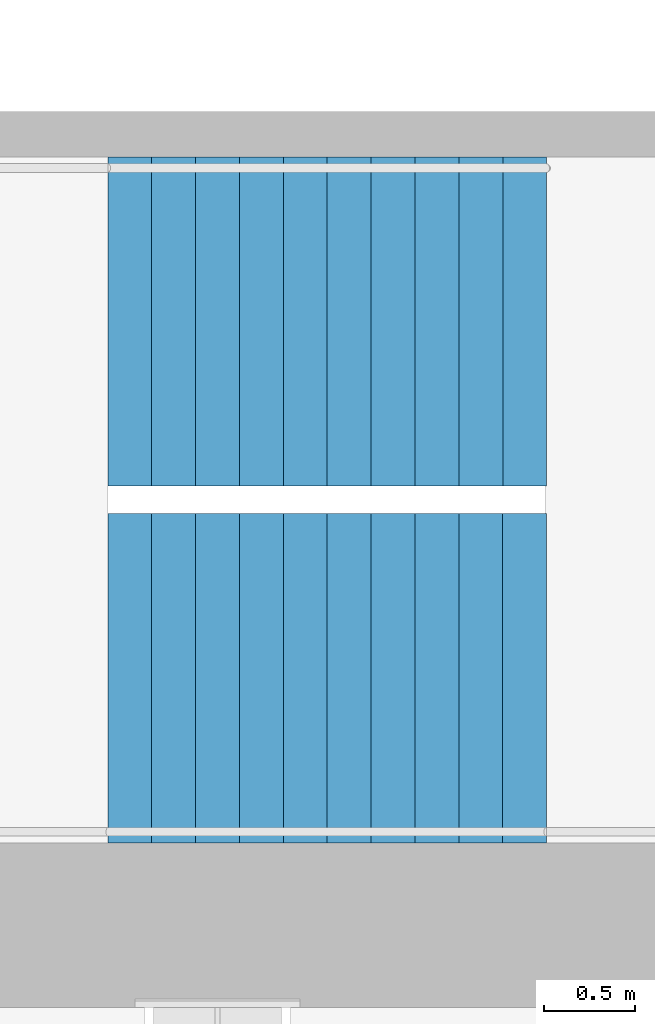
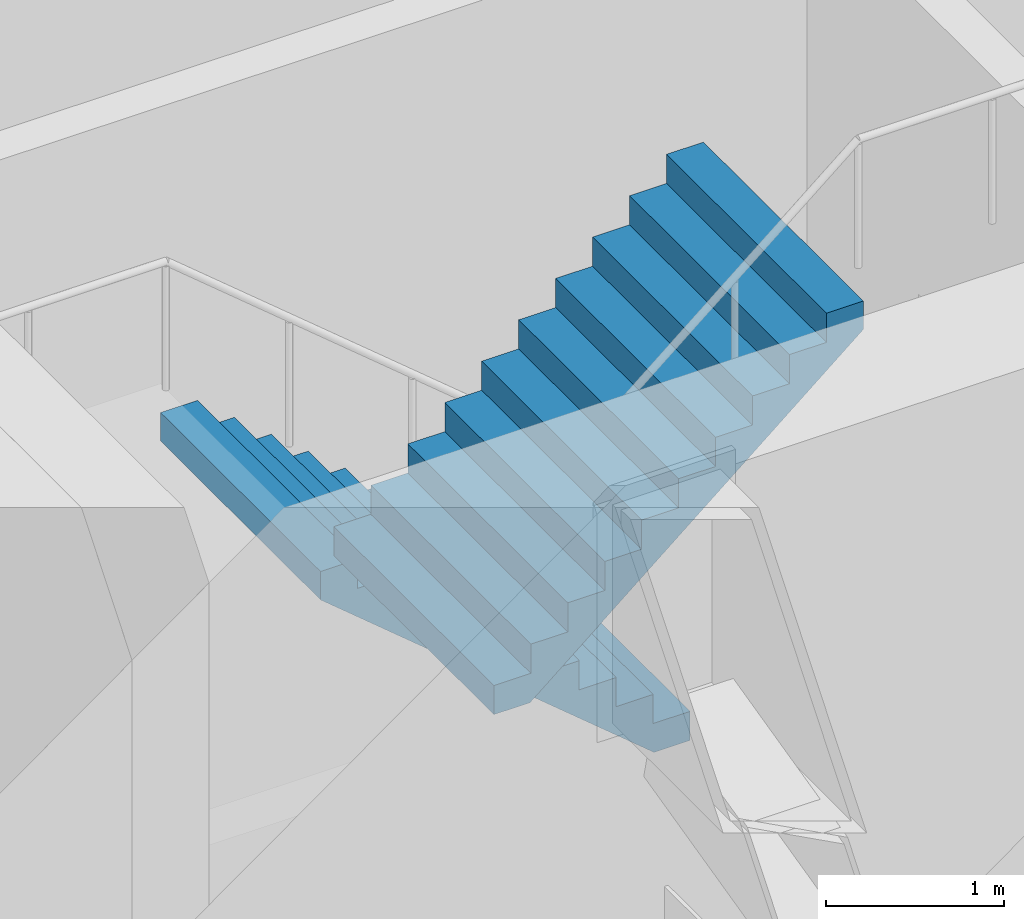
# One storey, part 28 of 33: 2 stair flights, 1 element without a shape of its own.
"""IFC4 building model written with IfcOpenShell, lengths in metres."""

from ifc_helpers import new_model, si_unit, direction, frame, origin, place, context, subcontext, project, spatial, triangles, material, type_object, element, aggregate, save


model = new_model("IFC4")

# Units and contexts
model_context = context("Model", 3, precision=1e-05, world=origin(), true_north=direction((0.0, 1.0)))
body_context = subcontext(model_context, "Body", "Model", "MODEL_VIEW")
ifc_project = project(units=[si_unit("LENGTHUNIT", "METRE"), si_unit("AREAUNIT", "SQUARE_METRE"), si_unit("VOLUMEUNIT", "CUBIC_METRE"), si_unit("PLANEANGLEUNIT", "RADIAN"), si_unit("MASSUNIT", "GRAM", prefix="KILO")], contexts=[model_context])

# Site, building, storey
site_placement = place(None, origin())
site = spatial("IfcSite", under=ifc_project, at=site_placement, CompositionType="ELEMENT")
building_placement = place(site_placement, origin())
building = spatial("IfcBuilding", under=site, at=building_placement, Name="Hakoniwa Tower and Hamabe Station Hall", CompositionType="ELEMENT")
storey_placement = place(building_placement, frame((0.0, 0.0, 175.800048828125)))
storey = spatial("IfcBuildingStorey", under=building, at=storey_placement, Name="L50", CompositionType="ELEMENT", Elevation=175.800048828125)

# Stair, stair flights
ifc_material_1 = material(Name="Concrete C40", Category="concrete")
stair_type = type_object("IfcStairType", Name="ESCAPE STAIR 1800", PredefinedType="HALF_TURN_STAIR", material=ifc_material_1)
stair_placement = place(storey_placement, origin())
stair = element("IfcStair", 1, at=stair_placement, inside=storey, type_object=stair_type, Name="Escape stair ST-2 L50", PredefinedType="HALF_TURN_STAIR")
ifc_material_2 = material(Name="Concrete C40", Category="concrete")
stair_flight_type = type_object("IfcStairFlightType", Name="STAIR FLIGHT 1800", PredefinedType="STRAIGHT", material=ifc_material_2)
stair_flight_1_placement = place(storey_placement, frame((-23.39990234375, -4.64990234375, 0.0), z_axis=(0.0, 0.0, 1.0), x_axis=(-1.0, 0.0, 0.0)))
stair_flight_1 = element("IfcStairFlight", 2, at=stair_flight_1_placement, type_object=stair_flight_type, Name="ST-2 flight 1", NumberOfRisers=11, NumberOfTreads=10, PredefinedType="STRAIGHT", RiserHeight=0.2, TreadLength=0.24, context=body_context, shape_type="Tessellation", body=[
    triangles([(0.0, 0.89990234375, 0.0), (0.234130859375, 0.89990234375, 0.0), (0.239990234375, 0.89990234375, 0.0048828125), (0.47998046875, 0.89990234375, 0.204833984375), (0.719970703125, 0.89990234375, 0.40478515625), (0.9599609375, 0.89990234375, 0.60498046875), (1.199951171875, 0.89990234375, 0.804931640625), (1.43994140625, 0.89990234375, 1.0048828125), (1.679931640625, 0.89990234375, 1.204833984375), (1.919921875, 0.89990234375, 1.40478515625), (2.159912109375, 0.89990234375, 1.60498046875), (2.39990234375, 0.89990234375, 1.804931640625), (2.39990234375, 0.89990234375, 2.0), (2.159912109375, 0.89990234375, 2.0), (2.159912109375, 0.89990234375, 1.800048828125), (1.919921875, 0.89990234375, 1.800048828125), (1.919921875, 0.89990234375, 1.60009765625), (1.679931640625, 0.89990234375, 1.60009765625), (1.679931640625, 0.89990234375, 1.39990234375), (1.43994140625, 0.89990234375, 1.39990234375), (1.43994140625, 0.89990234375, 1.199951171875), (1.199951171875, 0.89990234375, 1.199951171875), (1.199951171875, 0.89990234375, 1.0), (0.9599609375, 0.89990234375, 1.0), (0.9599609375, 0.89990234375, 0.800048828125), (0.719970703125, 0.89990234375, 0.800048828125), (0.719970703125, 0.89990234375, 0.60009765625), (0.47998046875, 0.89990234375, 0.60009765625), (0.47998046875, 0.89990234375, 0.39990234375), (0.239990234375, 0.89990234375, 0.39990234375), (0.239990234375, 0.89990234375, 0.199951171875), (0.234130859375, 0.89990234375, 0.199951171875), (0.0, 0.89990234375, 0.199951171875), (0.0, 0.06005859375, 0.0), (0.234130859375, 0.06005859375, 0.0), (0.239990234375, 0.06005859375, 0.0048828125), (0.47998046875, 0.06005859375, 0.204833984375), (0.719970703125, 0.06005859375, 0.40478515625), (0.9599609375, 0.06005859375, 0.60498046875), (1.199951171875, 0.06005859375, 0.804931640625), (1.43994140625, 0.06005859375, 1.0048828125), (1.679931640625, 0.06005859375, 1.204833984375), (1.919921875, 0.06005859375, 1.40478515625), (2.159912109375, 0.06005859375, 1.60498046875), (2.39990234375, 0.06005859375, 1.804931640625), (2.39990234375, 0.06005859375, 2.0), (2.159912109375, 0.06005859375, 2.0), (2.159912109375, 0.06005859375, 1.800048828125), (1.919921875, 0.06005859375, 1.800048828125), (1.919921875, 0.06005859375, 1.60009765625), (1.679931640625, 0.06005859375, 1.60009765625), (1.679931640625, 0.06005859375, 1.39990234375), (1.43994140625, 0.06005859375, 1.39990234375), (1.43994140625, 0.06005859375, 1.199951171875), (1.199951171875, 0.06005859375, 1.199951171875), (1.199951171875, 0.06005859375, 1.0), (0.9599609375, 0.06005859375, 1.0), (0.9599609375, 0.06005859375, 0.800048828125), (0.719970703125, 0.06005859375, 0.800048828125), (0.719970703125, 0.06005859375, 0.60009765625), (0.47998046875, 0.06005859375, 0.60009765625), (0.47998046875, 0.06005859375, 0.39990234375), (0.239990234375, 0.06005859375, 0.39990234375), (0.239990234375, 0.06005859375, 0.199951171875), (0.234130859375, 0.06005859375, 0.199951171875), (0.0, 0.06005859375, 0.199951171875), (0.0, 0.02001953125, 0.0), (0.234130859375, 0.02001953125, 0.0), (0.239990234375, 0.02001953125, 0.0048828125), (0.47998046875, 0.02001953125, 0.204833984375), (0.719970703125, 0.02001953125, 0.40478515625), (0.9599609375, 0.02001953125, 0.60498046875), (1.199951171875, 0.02001953125, 0.804931640625), (1.43994140625, 0.02001953125, 1.0048828125), (1.679931640625, 0.02001953125, 1.204833984375), (1.919921875, 0.02001953125, 1.40478515625), (2.159912109375, 0.02001953125, 1.60498046875), (2.39990234375, 0.02001953125, 1.804931640625), (2.39990234375, 0.02001953125, 2.0), (2.159912109375, 0.02001953125, 2.0), (2.159912109375, 0.02001953125, 1.800048828125), (1.919921875, 0.02001953125, 1.800048828125), (1.919921875, 0.02001953125, 1.60009765625), (1.679931640625, 0.02001953125, 1.60009765625), (1.679931640625, 0.02001953125, 1.39990234375), (1.43994140625, 0.02001953125, 1.39990234375), (1.43994140625, 0.02001953125, 1.199951171875), (1.199951171875, 0.02001953125, 1.199951171875), (1.199951171875, 0.02001953125, 1.0), (0.9599609375, 0.02001953125, 1.0), (0.9599609375, 0.02001953125, 0.800048828125), (0.719970703125, 0.02001953125, 0.800048828125), (0.719970703125, 0.02001953125, 0.60009765625), (0.47998046875, 0.02001953125, 0.60009765625), (0.47998046875, 0.02001953125, 0.39990234375), (0.239990234375, 0.02001953125, 0.39990234375), (0.239990234375, 0.02001953125, 0.199951171875), (0.234130859375, 0.02001953125, 0.199951171875), (0.0, 0.02001953125, 0.199951171875), (0.0, -0.02001953125, 0.0), (0.234130859375, -0.02001953125, 0.0), (0.239990234375, -0.02001953125, 0.0048828125), (0.47998046875, -0.02001953125, 0.204833984375), (0.719970703125, -0.02001953125, 0.40478515625), (0.9599609375, -0.02001953125, 0.60498046875), (1.199951171875, -0.02001953125, 0.804931640625), (1.43994140625, -0.02001953125, 1.0048828125), (1.679931640625, -0.02001953125, 1.204833984375), (1.919921875, -0.02001953125, 1.40478515625), (2.159912109375, -0.02001953125, 1.60498046875), (2.39990234375, -0.02001953125, 1.804931640625), (2.39990234375, -0.02001953125, 2.0), (2.159912109375, -0.02001953125, 2.0), (2.159912109375, -0.02001953125, 1.800048828125), (1.919921875, -0.02001953125, 1.800048828125), (1.919921875, -0.02001953125, 1.60009765625), (1.679931640625, -0.02001953125, 1.60009765625), (1.679931640625, -0.02001953125, 1.39990234375), (1.43994140625, -0.02001953125, 1.39990234375), (1.43994140625, -0.02001953125, 1.199951171875), (1.199951171875, -0.02001953125, 1.199951171875), (1.199951171875, -0.02001953125, 1.0), (0.9599609375, -0.02001953125, 1.0), (0.9599609375, -0.02001953125, 0.800048828125), (0.719970703125, -0.02001953125, 0.800048828125), (0.719970703125, -0.02001953125, 0.60009765625), (0.47998046875, -0.02001953125, 0.60009765625), (0.47998046875, -0.02001953125, 0.39990234375), (0.239990234375, -0.02001953125, 0.39990234375), (0.239990234375, -0.02001953125, 0.199951171875), (0.234130859375, -0.02001953125, 0.199951171875), (0.0, -0.02001953125, 0.199951171875), (0.0, -0.06005859375, 0.0), (0.234130859375, -0.06005859375, 0.0), (0.239990234375, -0.06005859375, 0.0048828125), (0.47998046875, -0.06005859375, 0.204833984375), (0.719970703125, -0.06005859375, 0.40478515625), (0.9599609375, -0.06005859375, 0.60498046875), (1.199951171875, -0.06005859375, 0.804931640625), (1.43994140625, -0.06005859375, 1.0048828125), (1.679931640625, -0.06005859375, 1.204833984375), (1.919921875, -0.06005859375, 1.40478515625), (2.159912109375, -0.06005859375, 1.60498046875), (2.39990234375, -0.06005859375, 1.804931640625), (2.39990234375, -0.06005859375, 2.0), (2.159912109375, -0.06005859375, 2.0), (2.159912109375, -0.06005859375, 1.800048828125), (1.919921875, -0.06005859375, 1.800048828125), (1.919921875, -0.06005859375, 1.60009765625), (1.679931640625, -0.06005859375, 1.60009765625), (1.679931640625, -0.06005859375, 1.39990234375), (1.43994140625, -0.06005859375, 1.39990234375), (1.43994140625, -0.06005859375, 1.199951171875), (1.199951171875, -0.06005859375, 1.199951171875), (1.199951171875, -0.06005859375, 1.0), (0.9599609375, -0.06005859375, 1.0), (0.9599609375, -0.06005859375, 0.800048828125), (0.719970703125, -0.06005859375, 0.800048828125), (0.719970703125, -0.06005859375, 0.60009765625), (0.47998046875, -0.06005859375, 0.60009765625), (0.47998046875, -0.06005859375, 0.39990234375), (0.239990234375, -0.06005859375, 0.39990234375), (0.239990234375, -0.06005859375, 0.199951171875), (0.234130859375, -0.06005859375, 0.199951171875), (0.0, -0.06005859375, 0.199951171875), (0.0, -0.89990234375, 0.0), (0.234130859375, -0.89990234375, 0.0), (0.239990234375, -0.89990234375, 0.0048828125), (0.47998046875, -0.89990234375, 0.204833984375), (0.719970703125, -0.89990234375, 0.40478515625), (0.9599609375, -0.89990234375, 0.60498046875), (1.199951171875, -0.89990234375, 0.804931640625), (1.43994140625, -0.89990234375, 1.0048828125), (1.679931640625, -0.89990234375, 1.204833984375), (1.919921875, -0.89990234375, 1.40478515625), (2.159912109375, -0.89990234375, 1.60498046875), (2.39990234375, -0.89990234375, 1.804931640625), (2.39990234375, -0.89990234375, 2.0), (2.159912109375, -0.89990234375, 2.0), (2.159912109375, -0.89990234375, 1.800048828125), (1.919921875, -0.89990234375, 1.800048828125), (1.919921875, -0.89990234375, 1.60009765625), (1.679931640625, -0.89990234375, 1.60009765625), (1.679931640625, -0.89990234375, 1.39990234375), (1.43994140625, -0.89990234375, 1.39990234375), (1.43994140625, -0.89990234375, 1.199951171875), (1.199951171875, -0.89990234375, 1.199951171875), (1.199951171875, -0.89990234375, 1.0), (0.9599609375, -0.89990234375, 1.0), (0.9599609375, -0.89990234375, 0.800048828125), (0.719970703125, -0.89990234375, 0.800048828125), (0.719970703125, -0.89990234375, 0.60009765625), (0.47998046875, -0.89990234375, 0.60009765625), (0.47998046875, -0.89990234375, 0.39990234375), (0.239990234375, -0.89990234375, 0.39990234375), (0.239990234375, -0.89990234375, 0.199951171875), (0.234130859375, -0.89990234375, 0.199951171875), (0.0, -0.89990234375, 0.199951171875)], [[2, 33, 32], [167, 197, 198], [2, 1, 33], [167, 198, 166], [3, 32, 31], [168, 196, 197], [3, 2, 32], [168, 197, 167], [4, 30, 29], [169, 194, 195], [4, 31, 30], [169, 195, 196], [4, 3, 31], [169, 196, 168], [5, 28, 27], [170, 192, 193], [5, 29, 28], [170, 193, 194], [5, 4, 29], [170, 194, 169], [6, 26, 25], [171, 190, 191], [6, 27, 26], [171, 191, 192], [6, 5, 27], [171, 192, 170], [7, 24, 23], [172, 188, 189], [7, 25, 24], [172, 189, 190], [7, 6, 25], [172, 190, 171], [8, 22, 21], [173, 186, 187], [8, 23, 22], [173, 187, 188], [8, 7, 23], [173, 188, 172], [9, 20, 19], [174, 184, 185], [9, 21, 20], [174, 185, 186], [9, 8, 21], [174, 186, 173], [10, 18, 17], [175, 182, 183], [10, 19, 18], [175, 183, 184], [10, 9, 19], [175, 184, 174], [11, 16, 15], [176, 180, 181], [11, 17, 16], [176, 181, 182], [11, 10, 17], [176, 182, 175], [12, 14, 13], [177, 178, 179], [12, 15, 14], [177, 179, 180], [12, 11, 15], [177, 180, 176], [1, 2, 35], [1, 35, 34], [34, 35, 68], [34, 68, 67], [67, 68, 101], [67, 101, 100], [100, 101, 134], [100, 134, 133], [133, 134, 167], [133, 167, 166], [2, 3, 36], [2, 36, 35], [35, 36, 69], [35, 69, 68], [68, 69, 102], [68, 102, 101], [101, 102, 135], [101, 135, 134], [134, 135, 168], [134, 168, 167], [3, 4, 37], [3, 37, 36], [36, 37, 70], [36, 70, 69], [69, 70, 103], [69, 103, 102], [102, 103, 136], [102, 136, 135], [135, 136, 169], [135, 169, 168], [4, 5, 38], [4, 38, 37], [37, 38, 71], [37, 71, 70], [70, 71, 104], [70, 104, 103], [103, 104, 137], [103, 137, 136], [136, 137, 170], [136, 170, 169], [5, 6, 39], [5, 39, 38], [38, 39, 72], [38, 72, 71], [71, 72, 105], [71, 105, 104], [104, 105, 138], [104, 138, 137], [137, 138, 171], [137, 171, 170], [6, 7, 40], [6, 40, 39], [39, 40, 73], [39, 73, 72], [72, 73, 106], [72, 106, 105], [105, 106, 139], [105, 139, 138], [138, 139, 172], [138, 172, 171], [7, 8, 41], [7, 41, 40], [40, 41, 74], [40, 74, 73], [73, 74, 107], [73, 107, 106], [106, 107, 140], [106, 140, 139], [139, 140, 173], [139, 173, 172], [8, 9, 42], [8, 42, 41], [41, 42, 75], [41, 75, 74], [74, 75, 108], [74, 108, 107], [107, 108, 141], [107, 141, 140], [140, 141, 174], [140, 174, 173], [9, 10, 43], [9, 43, 42], [42, 43, 76], [42, 76, 75], [75, 76, 109], [75, 109, 108], [108, 109, 142], [108, 142, 141], [141, 142, 175], [141, 175, 174], [10, 11, 44], [10, 44, 43], [43, 44, 77], [43, 77, 76], [76, 77, 110], [76, 110, 109], [109, 110, 143], [109, 143, 142], [142, 143, 176], [142, 176, 175], [11, 12, 45], [11, 45, 44], [44, 45, 78], [44, 78, 77], [77, 78, 111], [77, 111, 110], [110, 111, 144], [110, 144, 143], [143, 144, 177], [143, 177, 176], [12, 13, 46], [12, 46, 45], [45, 46, 79], [45, 79, 78], [78, 79, 112], [78, 112, 111], [111, 112, 145], [111, 145, 144], [144, 145, 178], [144, 178, 177], [13, 14, 47], [13, 47, 46], [46, 47, 80], [46, 80, 79], [79, 80, 113], [79, 113, 112], [112, 113, 146], [112, 146, 145], [145, 146, 179], [145, 179, 178], [14, 15, 48], [14, 48, 47], [47, 48, 81], [47, 81, 80], [80, 81, 114], [80, 114, 113], [113, 114, 147], [113, 147, 146], [146, 147, 180], [146, 180, 179], [15, 16, 49], [15, 49, 48], [48, 49, 82], [48, 82, 81], [81, 82, 115], [81, 115, 114], [114, 115, 148], [114, 148, 147], [147, 148, 181], [147, 181, 180], [16, 17, 50], [16, 50, 49], [49, 50, 83], [49, 83, 82], [82, 83, 116], [82, 116, 115], [115, 116, 149], [115, 149, 148], [148, 149, 182], [148, 182, 181], [17, 18, 51], [17, 51, 50], [50, 51, 84], [50, 84, 83], [83, 84, 117], [83, 117, 116], [116, 117, 150], [116, 150, 149], [149, 150, 183], [149, 183, 182], [18, 19, 52], [18, 52, 51], [51, 52, 85], [51, 85, 84], [84, 85, 118], [84, 118, 117], [117, 118, 151], [117, 151, 150], [150, 151, 184], [150, 184, 183], [19, 20, 53], [19, 53, 52], [52, 53, 86], [52, 86, 85], [85, 86, 119], [85, 119, 118], [118, 119, 152], [118, 152, 151], [151, 152, 185], [151, 185, 184], [20, 21, 54], [20, 54, 53], [53, 54, 87], [53, 87, 86], [86, 87, 120], [86, 120, 119], [119, 120, 153], [119, 153, 152], [152, 153, 186], [152, 186, 185], [21, 22, 55], [21, 55, 54], [54, 55, 88], [54, 88, 87], [87, 88, 121], [87, 121, 120], [120, 121, 154], [120, 154, 153], [153, 154, 187], [153, 187, 186], [22, 23, 56], [22, 56, 55], [55, 56, 89], [55, 89, 88], [88, 89, 122], [88, 122, 121], [121, 122, 155], [121, 155, 154], [154, 155, 188], [154, 188, 187], [23, 24, 57], [23, 57, 56], [56, 57, 90], [56, 90, 89], [89, 90, 123], [89, 123, 122], [122, 123, 156], [122, 156, 155], [155, 156, 189], [155, 189, 188], [24, 25, 58], [24, 58, 57], [57, 58, 91], [57, 91, 90], [90, 91, 124], [90, 124, 123], [123, 124, 157], [123, 157, 156], [156, 157, 190], [156, 190, 189], [25, 26, 59], [25, 59, 58], [58, 59, 92], [58, 92, 91], [91, 92, 125], [91, 125, 124], [124, 125, 158], [124, 158, 157], [157, 158, 191], [157, 191, 190], [26, 27, 60], [26, 60, 59], [59, 60, 93], [59, 93, 92], [92, 93, 126], [92, 126, 125], [125, 126, 159], [125, 159, 158], [158, 159, 192], [158, 192, 191], [27, 28, 61], [27, 61, 60], [60, 61, 94], [60, 94, 93], [93, 94, 127], [93, 127, 126], [126, 127, 160], [126, 160, 159], [159, 160, 193], [159, 193, 192], [28, 29, 62], [28, 62, 61], [61, 62, 95], [61, 95, 94], [94, 95, 128], [94, 128, 127], [127, 128, 161], [127, 161, 160], [160, 161, 194], [160, 194, 193], [29, 30, 63], [29, 63, 62], [62, 63, 96], [62, 96, 95], [95, 96, 129], [95, 129, 128], [128, 129, 162], [128, 162, 161], [161, 162, 195], [161, 195, 194], [30, 31, 64], [30, 64, 63], [63, 64, 97], [63, 97, 96], [96, 97, 130], [96, 130, 129], [129, 130, 163], [129, 163, 162], [162, 163, 196], [162, 196, 195], [31, 32, 65], [31, 65, 64], [64, 65, 98], [64, 98, 97], [97, 98, 131], [97, 131, 130], [130, 131, 164], [130, 164, 163], [163, 164, 197], [163, 197, 196], [32, 33, 66], [32, 66, 65], [65, 66, 99], [65, 99, 98], [98, 99, 132], [98, 132, 131], [131, 132, 165], [131, 165, 164], [164, 165, 198], [164, 198, 197], [33, 1, 34], [33, 34, 66], [66, 34, 67], [66, 67, 99], [99, 67, 100], [99, 100, 132], [132, 100, 133], [132, 133, 165], [165, 133, 166], [165, 166, 198]], closed=True),
])
stair_flight_2_placement = place(storey_placement, frame((-25.800048828125, -6.60009765625, 2.199951171875), z_axis=(0.0, 0.0, 1.0), x_axis=(1.0, 0.0, 0.0)))
stair_flight_2 = element("IfcStairFlight", 3, at=stair_flight_2_placement, type_object=stair_flight_type, Name="ST-2 flight 2", NumberOfRisers=11, NumberOfTreads=10, PredefinedType="STRAIGHT", RiserHeight=0.2, TreadLength=0.24, context=body_context, shape_type="Tessellation", body=[
    triangles([(0.0, 0.89990234375, 0.0), (0.234130859375, 0.89990234375, 0.0), (0.239990234375, 0.89990234375, 0.0048828125), (0.47998046875, 0.89990234375, 0.204833984375), (0.719970703125, 0.89990234375, 0.40478515625), (0.9599609375, 0.89990234375, 0.60498046875), (1.199951171875, 0.89990234375, 0.804931640625), (1.43994140625, 0.89990234375, 1.0048828125), (1.679931640625, 0.89990234375, 1.204833984375), (1.919921875, 0.89990234375, 1.40478515625), (2.159912109375, 0.89990234375, 1.60498046875), (2.39990234375, 0.89990234375, 1.804931640625), (2.39990234375, 0.89990234375, 2.0), (2.159912109375, 0.89990234375, 2.0), (2.159912109375, 0.89990234375, 1.800048828125), (1.919921875, 0.89990234375, 1.800048828125), (1.919921875, 0.89990234375, 1.60009765625), (1.679931640625, 0.89990234375, 1.60009765625), (1.679931640625, 0.89990234375, 1.39990234375), (1.43994140625, 0.89990234375, 1.39990234375), (1.43994140625, 0.89990234375, 1.199951171875), (1.199951171875, 0.89990234375, 1.199951171875), (1.199951171875, 0.89990234375, 1.0), (0.9599609375, 0.89990234375, 1.0), (0.9599609375, 0.89990234375, 0.800048828125), (0.719970703125, 0.89990234375, 0.800048828125), (0.719970703125, 0.89990234375, 0.60009765625), (0.47998046875, 0.89990234375, 0.60009765625), (0.47998046875, 0.89990234375, 0.39990234375), (0.239990234375, 0.89990234375, 0.39990234375), (0.239990234375, 0.89990234375, 0.199951171875), (0.234130859375, 0.89990234375, 0.199951171875), (0.0, 0.89990234375, 0.199951171875), (0.0, 0.06005859375, 0.0), (0.234130859375, 0.06005859375, 0.0), (0.239990234375, 0.06005859375, 0.0048828125), (0.47998046875, 0.06005859375, 0.204833984375), (0.719970703125, 0.06005859375, 0.40478515625), (0.9599609375, 0.06005859375, 0.60498046875), (1.199951171875, 0.06005859375, 0.804931640625), (1.43994140625, 0.06005859375, 1.0048828125), (1.679931640625, 0.06005859375, 1.204833984375), (1.919921875, 0.06005859375, 1.40478515625), (2.159912109375, 0.06005859375, 1.60498046875), (2.39990234375, 0.06005859375, 1.804931640625), (2.39990234375, 0.06005859375, 2.0), (2.159912109375, 0.06005859375, 2.0), (2.159912109375, 0.06005859375, 1.800048828125), (1.919921875, 0.06005859375, 1.800048828125), (1.919921875, 0.06005859375, 1.60009765625), (1.679931640625, 0.06005859375, 1.60009765625), (1.679931640625, 0.06005859375, 1.39990234375), (1.43994140625, 0.06005859375, 1.39990234375), (1.43994140625, 0.06005859375, 1.199951171875), (1.199951171875, 0.06005859375, 1.199951171875), (1.199951171875, 0.06005859375, 1.0), (0.9599609375, 0.06005859375, 1.0), (0.9599609375, 0.06005859375, 0.800048828125), (0.719970703125, 0.06005859375, 0.800048828125), (0.719970703125, 0.06005859375, 0.60009765625), (0.47998046875, 0.06005859375, 0.60009765625), (0.47998046875, 0.06005859375, 0.39990234375), (0.239990234375, 0.06005859375, 0.39990234375), (0.239990234375, 0.06005859375, 0.199951171875), (0.234130859375, 0.06005859375, 0.199951171875), (0.0, 0.06005859375, 0.199951171875), (0.0, 0.02001953125, 0.0), (0.234130859375, 0.02001953125, 0.0), (0.239990234375, 0.02001953125, 0.0048828125), (0.47998046875, 0.02001953125, 0.204833984375), (0.719970703125, 0.02001953125, 0.40478515625), (0.9599609375, 0.02001953125, 0.60498046875), (1.199951171875, 0.02001953125, 0.804931640625), (1.43994140625, 0.02001953125, 1.0048828125), (1.679931640625, 0.02001953125, 1.204833984375), (1.919921875, 0.02001953125, 1.40478515625), (2.159912109375, 0.02001953125, 1.60498046875), (2.39990234375, 0.02001953125, 1.804931640625), (2.39990234375, 0.02001953125, 2.0), (2.159912109375, 0.02001953125, 2.0), (2.159912109375, 0.02001953125, 1.800048828125), (1.919921875, 0.02001953125, 1.800048828125), (1.919921875, 0.02001953125, 1.60009765625), (1.679931640625, 0.02001953125, 1.60009765625), (1.679931640625, 0.02001953125, 1.39990234375), (1.43994140625, 0.02001953125, 1.39990234375), (1.43994140625, 0.02001953125, 1.199951171875), (1.199951171875, 0.02001953125, 1.199951171875), (1.199951171875, 0.02001953125, 1.0), (0.9599609375, 0.02001953125, 1.0), (0.9599609375, 0.02001953125, 0.800048828125), (0.719970703125, 0.02001953125, 0.800048828125), (0.719970703125, 0.02001953125, 0.60009765625), (0.47998046875, 0.02001953125, 0.60009765625), (0.47998046875, 0.02001953125, 0.39990234375), (0.239990234375, 0.02001953125, 0.39990234375), (0.239990234375, 0.02001953125, 0.199951171875), (0.234130859375, 0.02001953125, 0.199951171875), (0.0, 0.02001953125, 0.199951171875), (0.0, -0.02001953125, 0.0), (0.234130859375, -0.02001953125, 0.0), (0.239990234375, -0.02001953125, 0.0048828125), (0.47998046875, -0.02001953125, 0.204833984375), (0.719970703125, -0.02001953125, 0.40478515625), (0.9599609375, -0.02001953125, 0.60498046875), (1.199951171875, -0.02001953125, 0.804931640625), (1.43994140625, -0.02001953125, 1.0048828125), (1.679931640625, -0.02001953125, 1.204833984375), (1.919921875, -0.02001953125, 1.40478515625), (2.159912109375, -0.02001953125, 1.60498046875), (2.39990234375, -0.02001953125, 1.804931640625), (2.39990234375, -0.02001953125, 2.0), (2.159912109375, -0.02001953125, 2.0), (2.159912109375, -0.02001953125, 1.800048828125), (1.919921875, -0.02001953125, 1.800048828125), (1.919921875, -0.02001953125, 1.60009765625), (1.679931640625, -0.02001953125, 1.60009765625), (1.679931640625, -0.02001953125, 1.39990234375), (1.43994140625, -0.02001953125, 1.39990234375), (1.43994140625, -0.02001953125, 1.199951171875), (1.199951171875, -0.02001953125, 1.199951171875), (1.199951171875, -0.02001953125, 1.0), (0.9599609375, -0.02001953125, 1.0), (0.9599609375, -0.02001953125, 0.800048828125), (0.719970703125, -0.02001953125, 0.800048828125), (0.719970703125, -0.02001953125, 0.60009765625), (0.47998046875, -0.02001953125, 0.60009765625), (0.47998046875, -0.02001953125, 0.39990234375), (0.239990234375, -0.02001953125, 0.39990234375), (0.239990234375, -0.02001953125, 0.199951171875), (0.234130859375, -0.02001953125, 0.199951171875), (0.0, -0.02001953125, 0.199951171875), (0.0, -0.06005859375, 0.0), (0.234130859375, -0.06005859375, 0.0), (0.239990234375, -0.06005859375, 0.0048828125), (0.47998046875, -0.06005859375, 0.204833984375), (0.719970703125, -0.06005859375, 0.40478515625), (0.9599609375, -0.06005859375, 0.60498046875), (1.199951171875, -0.06005859375, 0.804931640625), (1.43994140625, -0.06005859375, 1.0048828125), (1.679931640625, -0.06005859375, 1.204833984375), (1.919921875, -0.06005859375, 1.40478515625), (2.159912109375, -0.06005859375, 1.60498046875), (2.39990234375, -0.06005859375, 1.804931640625), (2.39990234375, -0.06005859375, 2.0), (2.159912109375, -0.06005859375, 2.0), (2.159912109375, -0.06005859375, 1.800048828125), (1.919921875, -0.06005859375, 1.800048828125), (1.919921875, -0.06005859375, 1.60009765625), (1.679931640625, -0.06005859375, 1.60009765625), (1.679931640625, -0.06005859375, 1.39990234375), (1.43994140625, -0.06005859375, 1.39990234375), (1.43994140625, -0.06005859375, 1.199951171875), (1.199951171875, -0.06005859375, 1.199951171875), (1.199951171875, -0.06005859375, 1.0), (0.9599609375, -0.06005859375, 1.0), (0.9599609375, -0.06005859375, 0.800048828125), (0.719970703125, -0.06005859375, 0.800048828125), (0.719970703125, -0.06005859375, 0.60009765625), (0.47998046875, -0.06005859375, 0.60009765625), (0.47998046875, -0.06005859375, 0.39990234375), (0.239990234375, -0.06005859375, 0.39990234375), (0.239990234375, -0.06005859375, 0.199951171875), (0.234130859375, -0.06005859375, 0.199951171875), (0.0, -0.06005859375, 0.199951171875), (0.0, -0.89990234375, 0.0), (0.234130859375, -0.89990234375, 0.0), (0.239990234375, -0.89990234375, 0.0048828125), (0.47998046875, -0.89990234375, 0.204833984375), (0.719970703125, -0.89990234375, 0.40478515625), (0.9599609375, -0.89990234375, 0.60498046875), (1.199951171875, -0.89990234375, 0.804931640625), (1.43994140625, -0.89990234375, 1.0048828125), (1.679931640625, -0.89990234375, 1.204833984375), (1.919921875, -0.89990234375, 1.40478515625), (2.159912109375, -0.89990234375, 1.60498046875), (2.39990234375, -0.89990234375, 1.804931640625), (2.39990234375, -0.89990234375, 2.0), (2.159912109375, -0.89990234375, 2.0), (2.159912109375, -0.89990234375, 1.800048828125), (1.919921875, -0.89990234375, 1.800048828125), (1.919921875, -0.89990234375, 1.60009765625), (1.679931640625, -0.89990234375, 1.60009765625), (1.679931640625, -0.89990234375, 1.39990234375), (1.43994140625, -0.89990234375, 1.39990234375), (1.43994140625, -0.89990234375, 1.199951171875), (1.199951171875, -0.89990234375, 1.199951171875), (1.199951171875, -0.89990234375, 1.0), (0.9599609375, -0.89990234375, 1.0), (0.9599609375, -0.89990234375, 0.800048828125), (0.719970703125, -0.89990234375, 0.800048828125), (0.719970703125, -0.89990234375, 0.60009765625), (0.47998046875, -0.89990234375, 0.60009765625), (0.47998046875, -0.89990234375, 0.39990234375), (0.239990234375, -0.89990234375, 0.39990234375), (0.239990234375, -0.89990234375, 0.199951171875), (0.234130859375, -0.89990234375, 0.199951171875), (0.0, -0.89990234375, 0.199951171875)], [[2, 33, 32], [167, 197, 198], [2, 1, 33], [167, 198, 166], [3, 32, 31], [168, 196, 197], [3, 2, 32], [168, 197, 167], [4, 30, 29], [169, 194, 195], [4, 31, 30], [169, 195, 196], [4, 3, 31], [169, 196, 168], [5, 28, 27], [170, 192, 193], [5, 29, 28], [170, 193, 194], [5, 4, 29], [170, 194, 169], [6, 26, 25], [171, 190, 191], [6, 27, 26], [171, 191, 192], [6, 5, 27], [171, 192, 170], [7, 24, 23], [172, 188, 189], [7, 25, 24], [172, 189, 190], [7, 6, 25], [172, 190, 171], [8, 22, 21], [173, 186, 187], [8, 23, 22], [173, 187, 188], [8, 7, 23], [173, 188, 172], [9, 20, 19], [174, 184, 185], [9, 21, 20], [174, 185, 186], [9, 8, 21], [174, 186, 173], [10, 18, 17], [175, 182, 183], [10, 19, 18], [175, 183, 184], [10, 9, 19], [175, 184, 174], [11, 16, 15], [176, 180, 181], [11, 17, 16], [176, 181, 182], [11, 10, 17], [176, 182, 175], [12, 14, 13], [177, 178, 179], [12, 15, 14], [177, 179, 180], [12, 11, 15], [177, 180, 176], [1, 2, 35], [1, 35, 34], [34, 35, 68], [34, 68, 67], [67, 68, 101], [67, 101, 100], [100, 101, 134], [100, 134, 133], [133, 134, 167], [133, 167, 166], [2, 3, 36], [2, 36, 35], [35, 36, 69], [35, 69, 68], [68, 69, 102], [68, 102, 101], [101, 102, 135], [101, 135, 134], [134, 135, 168], [134, 168, 167], [3, 4, 37], [3, 37, 36], [36, 37, 70], [36, 70, 69], [69, 70, 103], [69, 103, 102], [102, 103, 136], [102, 136, 135], [135, 136, 169], [135, 169, 168], [4, 5, 38], [4, 38, 37], [37, 38, 71], [37, 71, 70], [70, 71, 104], [70, 104, 103], [103, 104, 137], [103, 137, 136], [136, 137, 170], [136, 170, 169], [5, 6, 39], [5, 39, 38], [38, 39, 72], [38, 72, 71], [71, 72, 105], [71, 105, 104], [104, 105, 138], [104, 138, 137], [137, 138, 171], [137, 171, 170], [6, 7, 40], [6, 40, 39], [39, 40, 73], [39, 73, 72], [72, 73, 106], [72, 106, 105], [105, 106, 139], [105, 139, 138], [138, 139, 172], [138, 172, 171], [7, 8, 41], [7, 41, 40], [40, 41, 74], [40, 74, 73], [73, 74, 107], [73, 107, 106], [106, 107, 140], [106, 140, 139], [139, 140, 173], [139, 173, 172], [8, 9, 42], [8, 42, 41], [41, 42, 75], [41, 75, 74], [74, 75, 108], [74, 108, 107], [107, 108, 141], [107, 141, 140], [140, 141, 174], [140, 174, 173], [9, 10, 43], [9, 43, 42], [42, 43, 76], [42, 76, 75], [75, 76, 109], [75, 109, 108], [108, 109, 142], [108, 142, 141], [141, 142, 175], [141, 175, 174], [10, 11, 44], [10, 44, 43], [43, 44, 77], [43, 77, 76], [76, 77, 110], [76, 110, 109], [109, 110, 143], [109, 143, 142], [142, 143, 176], [142, 176, 175], [11, 12, 45], [11, 45, 44], [44, 45, 78], [44, 78, 77], [77, 78, 111], [77, 111, 110], [110, 111, 144], [110, 144, 143], [143, 144, 177], [143, 177, 176], [12, 13, 46], [12, 46, 45], [45, 46, 79], [45, 79, 78], [78, 79, 112], [78, 112, 111], [111, 112, 145], [111, 145, 144], [144, 145, 178], [144, 178, 177], [13, 14, 47], [13, 47, 46], [46, 47, 80], [46, 80, 79], [79, 80, 113], [79, 113, 112], [112, 113, 146], [112, 146, 145], [145, 146, 179], [145, 179, 178], [14, 15, 48], [14, 48, 47], [47, 48, 81], [47, 81, 80], [80, 81, 114], [80, 114, 113], [113, 114, 147], [113, 147, 146], [146, 147, 180], [146, 180, 179], [15, 16, 49], [15, 49, 48], [48, 49, 82], [48, 82, 81], [81, 82, 115], [81, 115, 114], [114, 115, 148], [114, 148, 147], [147, 148, 181], [147, 181, 180], [16, 17, 50], [16, 50, 49], [49, 50, 83], [49, 83, 82], [82, 83, 116], [82, 116, 115], [115, 116, 149], [115, 149, 148], [148, 149, 182], [148, 182, 181], [17, 18, 51], [17, 51, 50], [50, 51, 84], [50, 84, 83], [83, 84, 117], [83, 117, 116], [116, 117, 150], [116, 150, 149], [149, 150, 183], [149, 183, 182], [18, 19, 52], [18, 52, 51], [51, 52, 85], [51, 85, 84], [84, 85, 118], [84, 118, 117], [117, 118, 151], [117, 151, 150], [150, 151, 184], [150, 184, 183], [19, 20, 53], [19, 53, 52], [52, 53, 86], [52, 86, 85], [85, 86, 119], [85, 119, 118], [118, 119, 152], [118, 152, 151], [151, 152, 185], [151, 185, 184], [20, 21, 54], [20, 54, 53], [53, 54, 87], [53, 87, 86], [86, 87, 120], [86, 120, 119], [119, 120, 153], [119, 153, 152], [152, 153, 186], [152, 186, 185], [21, 22, 55], [21, 55, 54], [54, 55, 88], [54, 88, 87], [87, 88, 121], [87, 121, 120], [120, 121, 154], [120, 154, 153], [153, 154, 187], [153, 187, 186], [22, 23, 56], [22, 56, 55], [55, 56, 89], [55, 89, 88], [88, 89, 122], [88, 122, 121], [121, 122, 155], [121, 155, 154], [154, 155, 188], [154, 188, 187], [23, 24, 57], [23, 57, 56], [56, 57, 90], [56, 90, 89], [89, 90, 123], [89, 123, 122], [122, 123, 156], [122, 156, 155], [155, 156, 189], [155, 189, 188], [24, 25, 58], [24, 58, 57], [57, 58, 91], [57, 91, 90], [90, 91, 124], [90, 124, 123], [123, 124, 157], [123, 157, 156], [156, 157, 190], [156, 190, 189], [25, 26, 59], [25, 59, 58], [58, 59, 92], [58, 92, 91], [91, 92, 125], [91, 125, 124], [124, 125, 158], [124, 158, 157], [157, 158, 191], [157, 191, 190], [26, 27, 60], [26, 60, 59], [59, 60, 93], [59, 93, 92], [92, 93, 126], [92, 126, 125], [125, 126, 159], [125, 159, 158], [158, 159, 192], [158, 192, 191], [27, 28, 61], [27, 61, 60], [60, 61, 94], [60, 94, 93], [93, 94, 127], [93, 127, 126], [126, 127, 160], [126, 160, 159], [159, 160, 193], [159, 193, 192], [28, 29, 62], [28, 62, 61], [61, 62, 95], [61, 95, 94], [94, 95, 128], [94, 128, 127], [127, 128, 161], [127, 161, 160], [160, 161, 194], [160, 194, 193], [29, 30, 63], [29, 63, 62], [62, 63, 96], [62, 96, 95], [95, 96, 129], [95, 129, 128], [128, 129, 162], [128, 162, 161], [161, 162, 195], [161, 195, 194], [30, 31, 64], [30, 64, 63], [63, 64, 97], [63, 97, 96], [96, 97, 130], [96, 130, 129], [129, 130, 163], [129, 163, 162], [162, 163, 196], [162, 196, 195], [31, 32, 65], [31, 65, 64], [64, 65, 98], [64, 98, 97], [97, 98, 131], [97, 131, 130], [130, 131, 164], [130, 164, 163], [163, 164, 197], [163, 197, 196], [32, 33, 66], [32, 66, 65], [65, 66, 99], [65, 99, 98], [98, 99, 132], [98, 132, 131], [131, 132, 165], [131, 165, 164], [164, 165, 198], [164, 198, 197], [33, 1, 34], [33, 34, 66], [66, 34, 67], [66, 67, 99], [99, 67, 100], [99, 100, 132], [132, 100, 133], [132, 133, 165], [165, 133, 166], [165, 166, 198]], closed=True),
])
aggregate(stair, [stair_flight_1, stair_flight_2])

save(model, "model.ifc")
